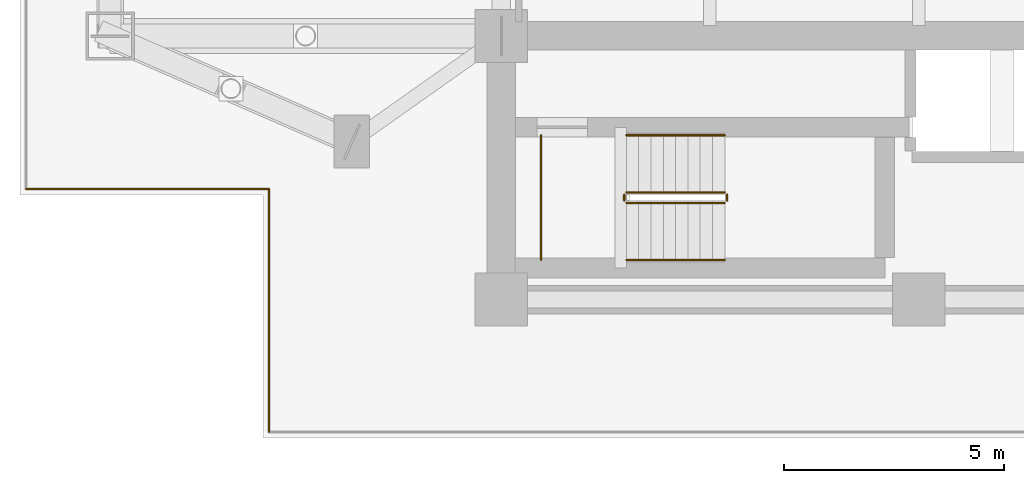
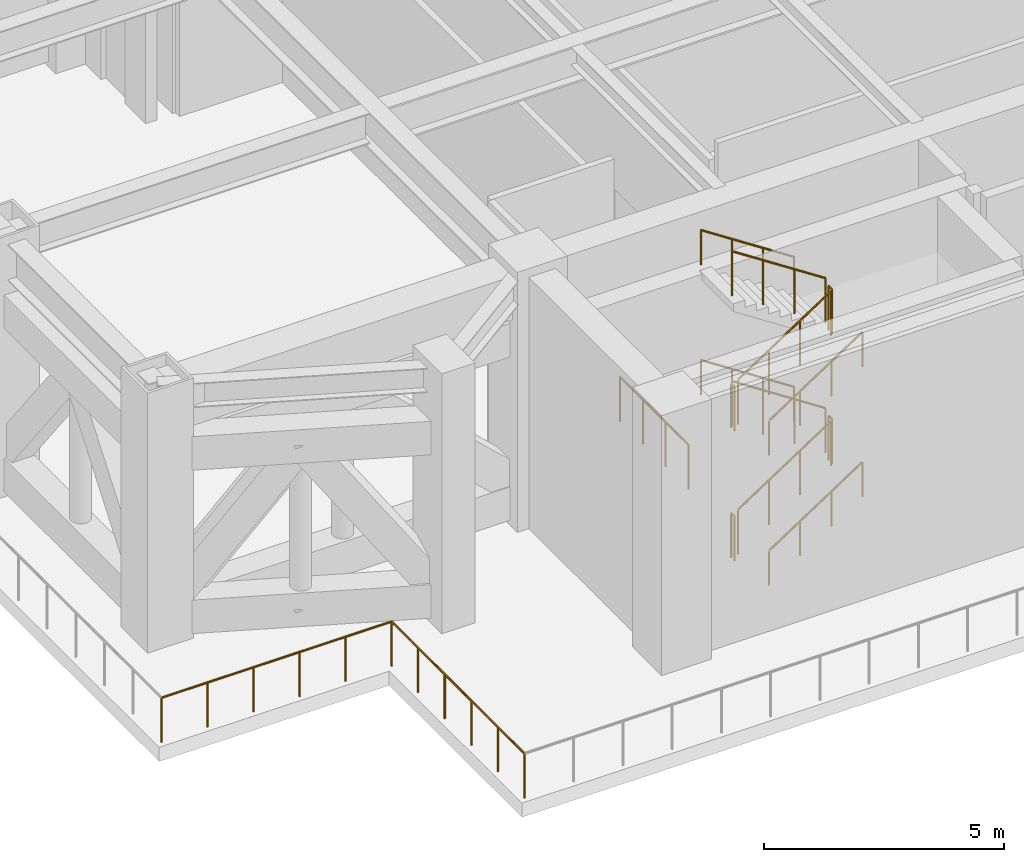
# One storey, part 15 of 21: 15 railings.
"""IFC4 building model written with IfcOpenShell, lengths in metres."""

from ifc_helpers import new_model, si_unit, direction, frame, origin, origin_2d, place, context, subcontext, project, spatial, circle, extrude, material, type_object, element, save


model = new_model("IFC4")

# Units and contexts
model_context = context("Model", 3, precision=1e-05, world=origin(), true_north=direction((0.0, 1.0)))
body_context = subcontext(model_context, "Body", "Model", "MODEL_VIEW")
ifc_project = project(units=[si_unit("LENGTHUNIT", "METRE"), si_unit("AREAUNIT", "SQUARE_METRE"), si_unit("VOLUMEUNIT", "CUBIC_METRE"), si_unit("PLANEANGLEUNIT", "RADIAN"), si_unit("MASSUNIT", "GRAM", prefix="KILO")], contexts=[model_context])

# Site, building, storey
site_placement = place(None, origin())
site = spatial("IfcSite", under=ifc_project, at=site_placement, CompositionType="ELEMENT")
building_placement = place(site_placement, origin())
building = spatial("IfcBuilding", under=site, at=building_placement, Name="Mirazonda Arch Towers", CompositionType="ELEMENT")
storey_placement = place(building_placement, frame((0.0, 0.0, 81.800048828125)))
storey = spatial("IfcBuildingStorey", under=building, at=storey_placement, Name="L23", CompositionType="ELEMENT", Elevation=81.800048828125)

# Railings
ifc_material = material(Name="Architectural Brushed Steel S355", Category="steel")
railing_type_1 = type_object("IfcRailingType", Name="GUARD-EXT-1150", PredefinedType="GUARDRAIL", material=ifc_material)
railing_1_placement = place(storey_placement, frame((0.18994140625, 14.9150390625, 0.0)))
element("IfcRailing", 1, at=railing_1_placement, inside=storey, type_object=railing_type_1, Name="L23 T1 Open Wind-Portal Perimeter Guard 11", PredefinedType="GUARDRAIL", context=body_context, shape_type="SweptSolid", body=[
    extrude(circle(Radius=0.02392578125, at=origin_2d()), frame((0.0, 0.0, 1.1259765625), z_axis=(1.0, 0.0, 0.0), x_axis=(0.0, 1.0, 0.0)), (0.0, 0.0, 1.0), 5.525146484375),
    extrude(circle(Radius=0.02099609375, at=origin_2d()), origin(), (0.0, 0.0, 1.0), 1.101806640625),
    extrude(circle(Radius=0.02099609375, at=origin_2d()), frame((1.10498046875, 0.0, 0.0)), (0.0, 0.0, 1.0), 1.101806640625),
    extrude(circle(Radius=0.02099609375, at=origin_2d()), frame((2.2099609375, 0.0, 0.0)), (0.0, 0.0, 1.0), 1.101806640625),
    extrude(circle(Radius=0.02099609375, at=origin_2d()), frame((3.315185546875, 0.0, 0.0)), (0.0, 0.0, 1.0), 1.101806640625),
    extrude(circle(Radius=0.02099609375, at=origin_2d()), frame((4.420166015625, 0.0, 0.0)), (0.0, 0.0, 1.0), 1.101806640625),
    extrude(circle(Radius=0.02099609375, at=origin_2d()), frame((5.525146484375, 0.0, 0.0)), (0.0, 0.0, 1.0), 1.101806640625),
])
railing_2_placement = place(storey_placement, frame((5.715087890625, 14.9150390625, 0.0)))
element("IfcRailing", 2, at=railing_2_placement, inside=storey, type_object=railing_type_1, Name="L23 T1 Open Wind-Portal Perimeter Guard 12", PredefinedType="GUARDRAIL", context=body_context, shape_type="SweptSolid", body=[
    extrude(circle(Radius=0.02392578125, at=origin_2d()), frame((0.0, 0.0, 1.1259765625), z_axis=(0.0, -1.0, 0.0), x_axis=(1.0, 0.0, 0.0)), (0.0, 0.0, 1.0), 5.525146484375),
    extrude(circle(Radius=0.02099609375, at=origin_2d()), origin(), (0.0, 0.0, 1.0), 1.101806640625),
    extrude(circle(Radius=0.02099609375, at=origin_2d()), frame((0.0, -1.10498046875, 0.0)), (0.0, 0.0, 1.0), 1.101806640625),
    extrude(circle(Radius=0.02099609375, at=origin_2d()), frame((0.0, -2.2099609375, 0.0)), (0.0, 0.0, 1.0), 1.101806640625),
    extrude(circle(Radius=0.02099609375, at=origin_2d()), frame((0.0, -3.315185546875, 0.0)), (0.0, 0.0, 1.0), 1.101806640625),
    extrude(circle(Radius=0.02099609375, at=origin_2d()), frame((0.0, -4.420166015625, 0.0)), (0.0, 0.0, 1.0), 1.101806640625),
    extrude(circle(Radius=0.02099609375, at=origin_2d()), frame((0.0, -5.525146484375, 0.0)), (0.0, 0.0, 1.0), 1.101806640625),
])
railing_type_2 = type_object("IfcRailingType", Name="GUARD-STAIR-1120", PredefinedType="GUARDRAIL", material=ifc_material)
railing_3_placement = place(storey_placement, frame((13.85009765625, 14.60009765625, 0.183349609375)))
element("IfcRailing", 3, at=railing_3_placement, inside=storey, type_object=railing_type_2, Name="L23 ST-T1S stair guard 1", PredefinedType="GUARDRAIL", context=body_context, shape_type="SweptSolid", body=[
    extrude(circle(Radius=0.02392578125, at=origin_2d()), frame((0.0, 0.0, 1.1259765625), z_axis=(0.836636935527, 0.0, 0.547757827979), x_axis=(0.0, 1.0, 0.0)), (0.0, 0.0, 1.0), 2.677490234375),
    extrude(circle(Radius=0.02099609375, at=origin_2d()), origin(), (0.0, 0.0, 1.0), 1.101806640625),
    extrude(circle(Radius=0.02099609375, at=origin_2d()), frame((0.74658203125, 0.0, 0.48876953125)), (0.0, 0.0, 1.0), 1.101806640625),
    extrude(circle(Radius=0.02099609375, at=origin_2d()), frame((1.493408203125, 0.0, 0.977783203125)), (0.0, 0.0, 1.0), 1.101806640625),
    extrude(circle(Radius=0.02099609375, at=origin_2d()), frame((2.239990234375, 0.0, 1.466552734375)), (0.0, 0.0, 1.0), 1.101806640625),
])
railing_4_placement = place(storey_placement, frame((16.139892578125, 14.64990234375, 1.64990234375)))
element("IfcRailing", 4, at=railing_4_placement, inside=storey, type_object=railing_type_2, Name="L23 ST-T1S stair guard 2", PredefinedType="GUARDRAIL", context=body_context, shape_type="SweptSolid", body=[
    extrude(circle(Radius=0.02392578125, at=origin_2d()), frame((0.0, 0.0, 1.1259765625), z_axis=(0.0, 1.0, 0.0), x_axis=(-1.0, 0.0, 0.0)), (0.0, 0.0, 1.0), 0.14013671875),
    extrude(circle(Radius=0.02099609375, at=origin_2d()), origin(), (0.0, 0.0, 1.0), 1.101806640625),
    extrude(circle(Radius=0.02099609375, at=origin_2d()), frame((0.0, 0.14013671875, 0.0)), (0.0, 0.0, 1.0), 1.101806640625),
])
railing_5_placement = place(storey_placement, frame((16.090087890625, 14.840087890625, 1.833251953125)))
element("IfcRailing", 5, at=railing_5_placement, inside=storey, type_object=railing_type_2, Name="L23 ST-T1S stair guard 3", PredefinedType="GUARDRAIL", context=body_context, shape_type="SweptSolid", body=[
    extrude(circle(Radius=0.02392578125, at=origin_2d()), frame((0.0, 0.0, 1.1259765625), z_axis=(-0.836595146698, 0.0, 0.547821650285), x_axis=(0.0, -1.0, 0.0)), (0.0, 0.0, 1.0), 2.677490234375),
    extrude(circle(Radius=0.02099609375, at=origin_2d()), origin(), (0.0, 0.0, 1.0), 1.101806640625),
    extrude(circle(Radius=0.02099609375, at=origin_2d()), frame((-0.74658203125, 0.0, 0.489013671875)), (0.0, 0.0, 1.0), 1.101806640625),
    extrude(circle(Radius=0.02099609375, at=origin_2d()), frame((-1.493408203125, 0.0, 0.977783203125)), (0.0, 0.0, 1.0), 1.101806640625),
    extrude(circle(Radius=0.02099609375, at=origin_2d()), frame((-2.239990234375, 0.0, 1.466796875)), (0.0, 0.0, 1.0), 1.101806640625),
])
railing_6_placement = place(storey_placement, frame((13.800048828125, 14.64990234375, 3.300048828125)))
element("IfcRailing", 6, at=railing_6_placement, inside=storey, type_object=railing_type_2, Name="L23 ST-T1S stair guard 4", PredefinedType="GUARDRAIL", context=body_context, shape_type="SweptSolid", body=[
    extrude(circle(Radius=0.02392578125, at=origin_2d()), frame((0.0, 0.0, 1.1259765625), z_axis=(0.0, 1.0, 0.0), x_axis=(-1.0, 0.0, 0.0)), (0.0, 0.0, 1.0), 0.14013671875),
    extrude(circle(Radius=0.02099609375, at=origin_2d()), origin(), (0.0, 0.0, 1.0), 1.101806640625),
    extrude(circle(Radius=0.02099609375, at=origin_2d()), frame((0.0, 0.14013671875, 0.0)), (0.0, 0.0, 1.0), 1.101806640625),
])
railing_7_placement = place(storey_placement, frame((13.85009765625, 14.60009765625, 3.4833984375)))
element("IfcRailing", 7, at=railing_7_placement, inside=storey, type_object=railing_type_2, Name="L23 ST-T1S stair guard 5", PredefinedType="GUARDRAIL", context=body_context, shape_type="SweptSolid", body=[
    extrude(circle(Radius=0.02392578125, at=origin_2d()), frame((0.0, 0.0, 1.1259765625), z_axis=(0.836636935527, 0.0, 0.547757827979), x_axis=(0.0, 1.0, 0.0)), (0.0, 0.0, 1.0), 2.677490234375),
    extrude(circle(Radius=0.02099609375, at=origin_2d()), origin(), (0.0, 0.0, 1.0), 1.101806640625),
    extrude(circle(Radius=0.02099609375, at=origin_2d()), frame((0.74658203125, 0.0, 0.48876953125)), (0.0, 0.0, 1.0), 1.101806640625),
    extrude(circle(Radius=0.02099609375, at=origin_2d()), frame((1.493408203125, 0.0, 0.977783203125)), (0.0, 0.0, 1.0), 1.101806640625),
    extrude(circle(Radius=0.02099609375, at=origin_2d()), frame((2.239990234375, 0.0, 1.466552734375)), (0.0, 0.0, 1.0), 1.101806640625),
])
railing_8_placement = place(storey_placement, frame((16.139892578125, 14.64990234375, 4.949951171875)))
element("IfcRailing", 8, at=railing_8_placement, inside=storey, type_object=railing_type_2, Name="L23 ST-T1S stair guard 6", PredefinedType="GUARDRAIL", context=body_context, shape_type="SweptSolid", body=[
    extrude(circle(Radius=0.02392578125, at=origin_2d()), frame((0.0, 0.0, 1.1259765625), z_axis=(0.0, 1.0, 0.0), x_axis=(-1.0, 0.0, 0.0)), (0.0, 0.0, 1.0), 0.14013671875),
    extrude(circle(Radius=0.02099609375, at=origin_2d()), origin(), (0.0, 0.0, 1.0), 1.101806640625),
    extrude(circle(Radius=0.02099609375, at=origin_2d()), frame((0.0, 0.14013671875, 0.0)), (0.0, 0.0, 1.0), 1.101806640625),
])
railing_9_placement = place(storey_placement, frame((16.090087890625, 14.840087890625, 5.13330078125)))
element("IfcRailing", 9, at=railing_9_placement, inside=storey, type_object=railing_type_2, Name="L23 ST-T1S stair guard 7", PredefinedType="GUARDRAIL", context=body_context, shape_type="SweptSolid", body=[
    extrude(circle(Radius=0.02392578125, at=origin_2d()), frame((0.0, 0.0, 1.1259765625), z_axis=(-0.836636935527, 0.0, 0.547757827979), x_axis=(0.0, -1.0, 0.0)), (0.0, 0.0, 1.0), 2.677490234375),
    extrude(circle(Radius=0.02099609375, at=origin_2d()), origin(), (0.0, 0.0, 1.0), 1.101806640625),
    extrude(circle(Radius=0.02099609375, at=origin_2d()), frame((-0.74658203125, 0.0, 0.48876953125)), (0.0, 0.0, 1.0), 1.101806640625),
    extrude(circle(Radius=0.02099609375, at=origin_2d()), frame((-1.493408203125, 0.0, 0.977783203125)), (0.0, 0.0, 1.0), 1.101806640625),
    extrude(circle(Radius=0.02099609375, at=origin_2d()), frame((-2.239990234375, 0.0, 1.466552734375)), (0.0, 0.0, 1.0), 1.101806640625),
])
railing_10_placement = place(storey_placement, frame((13.800048828125, 14.64990234375, 0.0)))
element("IfcRailing", 10, at=railing_10_placement, inside=storey, type_object=railing_type_2, Name="L23 ST-T1S stair guard 8", PredefinedType="GUARDRAIL", context=body_context, shape_type="SweptSolid", body=[
    extrude(circle(Radius=0.02392578125, at=origin_2d()), frame((0.0, 0.0, 1.1259765625), z_axis=(0.0, 1.0, 0.0), x_axis=(-1.0, 0.0, 0.0)), (0.0, 0.0, 1.0), 0.14013671875),
    extrude(circle(Radius=0.02099609375, at=origin_2d()), origin(), (0.0, 0.0, 1.0), 1.101806640625),
    extrude(circle(Radius=0.02099609375, at=origin_2d()), frame((0.0, 0.14013671875, 0.0)), (0.0, 0.0, 1.0), 1.101806640625),
])
railing_11_placement = place(storey_placement, frame((11.909912109375, 13.300048828125, 3.300048828125)))
element("IfcRailing", 11, at=railing_11_placement, inside=storey, type_object=railing_type_2, Name="L23 ST-T1S stair guard 9", PredefinedType="GUARDRAIL", context=body_context, shape_type="SweptSolid", body=[
    extrude(circle(Radius=0.02392578125, at=origin_2d()), frame((0.0, 0.0, 1.1259765625), z_axis=(0.0, 1.0, 0.0), x_axis=(-1.0, 0.0, 0.0)), (0.0, 0.0, 1.0), 2.83984375),
    extrude(circle(Radius=0.02099609375, at=origin_2d()), origin(), (0.0, 0.0, 1.0), 1.101806640625),
    extrude(circle(Radius=0.02099609375, at=origin_2d()), frame((0.0, 0.946533203125, 0.0)), (0.0, 0.0, 1.0), 1.101806640625),
    extrude(circle(Radius=0.02099609375, at=origin_2d()), frame((0.0, 1.893310546875, 0.0)), (0.0, 0.0, 1.0), 1.101806640625),
    extrude(circle(Radius=0.02099609375, at=origin_2d()), frame((0.0, 2.83984375, 0.0)), (0.0, 0.0, 1.0), 1.101806640625),
])
railing_type_3 = type_object("IfcRailingType", Name="HANDRAIL-915", PredefinedType="HANDRAIL", material=ifc_material)
railing_12_placement = place(storey_placement, frame((13.85009765625, 13.300048828125, 0.183349609375)))
element("IfcRailing", 12, at=railing_12_placement, inside=storey, type_object=railing_type_3, Name="L23 ST-T1S stair handrail 1", PredefinedType="HANDRAIL", context=body_context, shape_type="SweptSolid", body=[
    extrude(circle(Radius=0.02392578125, at=origin_2d()), frame((0.0, 0.0, 0.8759765625), z_axis=(0.836636935527, 0.0, 0.547757827979), x_axis=(0.0, 1.0, 0.0)), (0.0, 0.0, 1.0), 2.677490234375),
    extrude(circle(Radius=0.02099609375, at=origin_2d()), origin(), (0.0, 0.0, 1.0), 0.851806640625),
    extrude(circle(Radius=0.02099609375, at=origin_2d()), frame((0.74658203125, 0.0, 0.48876953125)), (0.0, 0.0, 1.0), 0.851806640625),
    extrude(circle(Radius=0.02099609375, at=origin_2d()), frame((1.493408203125, 0.0, 0.977783203125)), (0.0, 0.0, 1.0), 0.851806640625),
    extrude(circle(Radius=0.02099609375, at=origin_2d()), frame((2.239990234375, 0.0, 1.466552734375)), (0.0, 0.0, 1.0), 0.851806640625),
])
railing_13_placement = place(storey_placement, frame((16.090087890625, 16.139892578125, 1.833251953125)))
element("IfcRailing", 13, at=railing_13_placement, inside=storey, type_object=railing_type_3, Name="L23 ST-T1S stair handrail 2", PredefinedType="HANDRAIL", context=body_context, shape_type="SweptSolid", body=[
    extrude(circle(Radius=0.02392578125, at=origin_2d()), frame((0.0, 0.0, 0.8759765625), z_axis=(-0.836595146698, 0.0, 0.547821650285), x_axis=(0.0, -1.0, 0.0)), (0.0, 0.0, 1.0), 2.677490234375),
    extrude(circle(Radius=0.02099609375, at=origin_2d()), origin(), (0.0, 0.0, 1.0), 0.851806640625),
    extrude(circle(Radius=0.02099609375, at=origin_2d()), frame((-0.74658203125, 0.0, 0.489013671875)), (0.0, 0.0, 1.0), 0.851806640625),
    extrude(circle(Radius=0.02099609375, at=origin_2d()), frame((-1.493408203125, 0.0, 0.977783203125)), (0.0, 0.0, 1.0), 0.851806640625),
    extrude(circle(Radius=0.02099609375, at=origin_2d()), frame((-2.239990234375, 0.0, 1.466796875)), (0.0, 0.0, 1.0), 0.851806640625),
])
railing_14_placement = place(storey_placement, frame((13.85009765625, 13.300048828125, 3.4833984375)))
element("IfcRailing", 14, at=railing_14_placement, inside=storey, type_object=railing_type_3, Name="L23 ST-T1S stair handrail 3", PredefinedType="HANDRAIL", context=body_context, shape_type="SweptSolid", body=[
    extrude(circle(Radius=0.02392578125, at=origin_2d()), frame((0.0, 0.0, 0.8759765625), z_axis=(0.836636935527, 0.0, 0.547757827979), x_axis=(0.0, 1.0, 0.0)), (0.0, 0.0, 1.0), 2.677490234375),
    extrude(circle(Radius=0.02099609375, at=origin_2d()), origin(), (0.0, 0.0, 1.0), 0.851806640625),
    extrude(circle(Radius=0.02099609375, at=origin_2d()), frame((0.74658203125, 0.0, 0.48876953125)), (0.0, 0.0, 1.0), 0.851806640625),
    extrude(circle(Radius=0.02099609375, at=origin_2d()), frame((1.493408203125, 0.0, 0.977783203125)), (0.0, 0.0, 1.0), 0.851806640625),
    extrude(circle(Radius=0.02099609375, at=origin_2d()), frame((2.239990234375, 0.0, 1.466552734375)), (0.0, 0.0, 1.0), 0.851806640625),
])
railing_15_placement = place(storey_placement, frame((16.090087890625, 16.139892578125, 5.13330078125)))
element("IfcRailing", 15, at=railing_15_placement, inside=storey, type_object=railing_type_3, Name="L23 ST-T1S stair handrail 4", PredefinedType="HANDRAIL", context=body_context, shape_type="SweptSolid", body=[
    extrude(circle(Radius=0.02392578125, at=origin_2d()), frame((0.0, 0.0, 0.8759765625), z_axis=(-0.836636935527, 0.0, 0.547757827979), x_axis=(0.0, -1.0, 0.0)), (0.0, 0.0, 1.0), 2.677490234375),
    extrude(circle(Radius=0.02099609375, at=origin_2d()), origin(), (0.0, 0.0, 1.0), 0.851806640625),
    extrude(circle(Radius=0.02099609375, at=origin_2d()), frame((-0.74658203125, 0.0, 0.48876953125)), (0.0, 0.0, 1.0), 0.851806640625),
    extrude(circle(Radius=0.02099609375, at=origin_2d()), frame((-1.493408203125, 0.0, 0.977783203125)), (0.0, 0.0, 1.0), 0.851806640625),
    extrude(circle(Radius=0.02099609375, at=origin_2d()), frame((-2.239990234375, 0.0, 1.466552734375)), (0.0, 0.0, 1.0), 0.851806640625),
])

save(model, "model.ifc")
